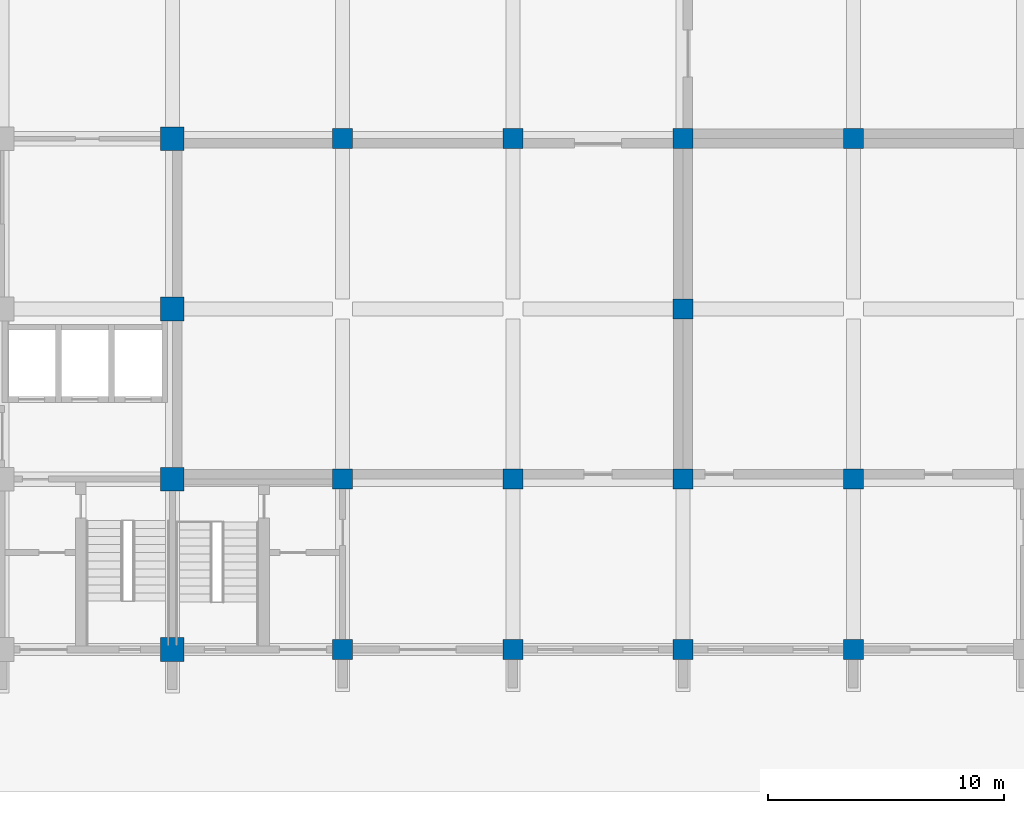
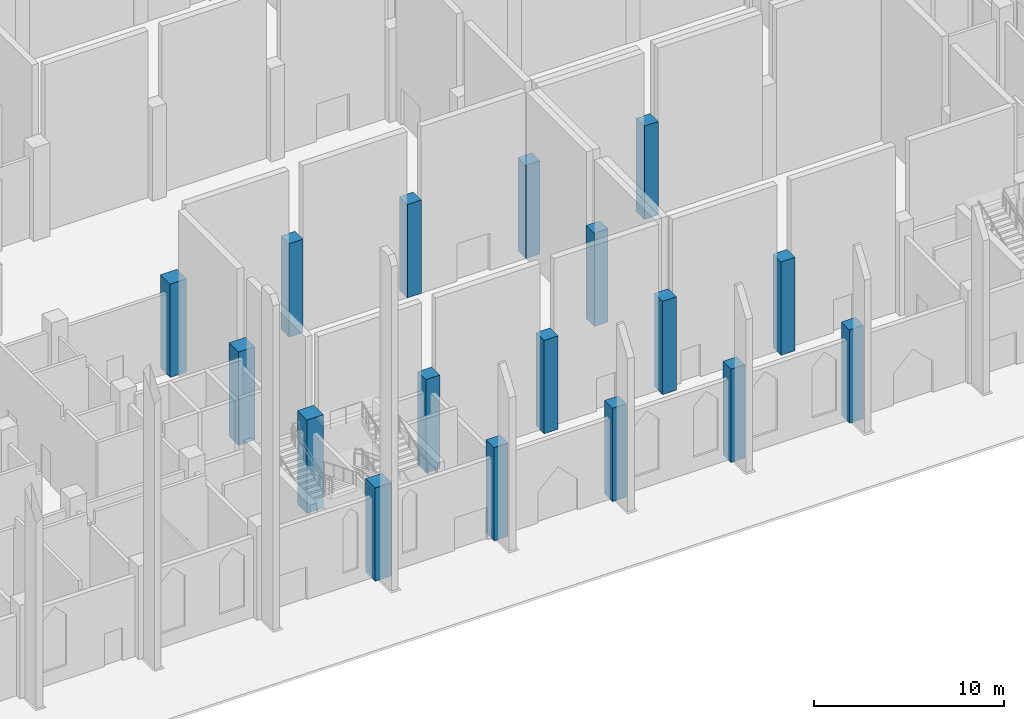
# One storey, part 3 of 50: 17 columns.
"""IFC4 building model written with IfcOpenShell, lengths in metres."""

from ifc_helpers import new_model, si_unit, direction, frame, origin, origin_2d, place, context, subcontext, project, spatial, rectangle, extrude, material, material_profile, profile_set, type_object, element, save


model = new_model("IFC4")

# Units and contexts
model_context = context("Model", 3, precision=1e-05, world=origin(), true_north=direction((0.0, 1.0)))
body_context = subcontext(model_context, "Body", "Model", "MODEL_VIEW")
ifc_project = project(units=[si_unit("LENGTHUNIT", "METRE"), si_unit("AREAUNIT", "SQUARE_METRE"), si_unit("VOLUMEUNIT", "CUBIC_METRE"), si_unit("PLANEANGLEUNIT", "RADIAN"), si_unit("MASSUNIT", "GRAM", prefix="KILO")], contexts=[model_context])

# Site, building, storey
site_placement = place(None, origin())
site = spatial("IfcSite", under=ifc_project, at=site_placement, CompositionType="ELEMENT")
building_placement = place(site_placement, origin())
building = spatial("IfcBuilding", under=site, at=building_placement, Name="Silangan Lancet Faculty of Sciences", CompositionType="ELEMENT")
storey_placement = place(building_placement, origin())
storey = spatial("IfcBuildingStorey", under=building, at=storey_placement, Name="L00", CompositionType="ELEMENT", Elevation=0.0)

# Columns
ifc_material_1 = material(Name="Concrete C50/60", Category="concrete")
ifc_material_profile_1 = material_profile(ifc_material_1, rectangle(XDim=1.0, YDim=1.0, at=origin_2d()), Name="RC 1000x1000")
ifc_profile_set_1 = profile_set([ifc_material_profile_1], Name="Concrete C50/60")
column_type_1 = type_object("IfcColumnType", Name="COLUMN RC 1000x1000", PredefinedType="COLUMN", material=ifc_profile_set_1)
for number, where, z_axis, x_axis, name in (
    (1, (28.800048828125, 0.0, 0.0), (0.0, 0.0, 1.0), (1.0, 0.0, 0.0), "COL-L00-5A"),
    (2, (28.800048828125, 7.199951171875, 0.0), (0.0, 0.0, 1.0), (1.0, 0.0, 0.0), "COL-L00-5B"),
    (3, (28.800048828125, 14.39990234375, 0.0), (0.0, 0.0, 1.0), (1.0, 0.0, 0.0), "COL-L00-5C"),
    (4, (28.800048828125, 21.60009765625, 0.0), (0.0, 0.0, 1.0), (1.0, 0.0, 0.0), "COL-L00-5D"),
):
    element("IfcColumn", number, at=place(storey_placement, frame(where, z_axis=z_axis, x_axis=x_axis)), inside=storey, type_object=column_type_1, Name=name, PredefinedType="COLUMN", context=body_context, shape_type="SweptSolid", body=[
        extrude(rectangle(XDim=1.0, YDim=1.0, at=origin_2d()), origin(), (0.0, 0.0, 1.0), 6.0),
    ])
ifc_material_2 = material(Name="Concrete C40/50", Category="concrete")
ifc_material_profile_2 = material_profile(ifc_material_2, rectangle(XDim=0.85009765625, YDim=0.85009765625, at=origin_2d()), Name="RC 850x850")
ifc_profile_set_2 = profile_set([ifc_material_profile_2], Name="Concrete C40/50")
column_type_2 = type_object("IfcColumnType", Name="COLUMN RC 850x850", PredefinedType="COLUMN", material=ifc_profile_set_2)
for number, where, z_axis, x_axis, name in (
    (5, (36.0, 0.0, 0.0), (0.0, 0.0, 1.0), (1.0, 0.0, 0.0), "COL-L00-6A"),
    (6, (36.0, 7.199951171875, 0.0), (0.0, 0.0, 1.0), (1.0, 0.0, 0.0), "COL-L00-6B"),
    (7, (36.0, 21.60009765625, 0.0), (0.0, 0.0, 1.0), (1.0, 0.0, 0.0), "COL-L00-6D"),
    (8, (43.199951171875, 0.0, 0.0), (0.0, 0.0, 1.0), (1.0, 0.0, 0.0), "COL-L00-7A"),
    (9, (43.199951171875, 7.199951171875, 0.0), (0.0, 0.0, 1.0), (1.0, 0.0, 0.0), "COL-L00-7B"),
    (10, (43.199951171875, 21.60009765625, 0.0), (0.0, 0.0, 1.0), (1.0, 0.0, 0.0), "COL-L00-7D"),
    (11, (50.39990234375, 0.0, 0.0), (0.0, 0.0, 1.0), (1.0, 0.0, 0.0), "COL-L00-8A"),
    (12, (50.39990234375, 7.199951171875, 0.0), (0.0, 0.0, 1.0), (1.0, 0.0, 0.0), "COL-L00-8B"),
    (13, (50.39990234375, 14.39990234375, 0.0), (0.0, 0.0, 1.0), (1.0, 0.0, 0.0), "COL-L00-8C"),
    (14, (50.39990234375, 21.60009765625, 0.0), (0.0, 0.0, 1.0), (1.0, 0.0, 0.0), "COL-L00-8D"),
    (15, (57.60009765625, 0.0, 0.0), (0.0, 0.0, 1.0), (1.0, 0.0, 0.0), "COL-L00-9A"),
    (16, (57.60009765625, 7.199951171875, 0.0), (0.0, 0.0, 1.0), (1.0, 0.0, 0.0), "COL-L00-9B"),
    (17, (57.60009765625, 21.60009765625, 0.0), (0.0, 0.0, 1.0), (1.0, 0.0, 0.0), "COL-L00-9D"),
):
    element("IfcColumn", number, at=place(storey_placement, frame(where, z_axis=z_axis, x_axis=x_axis)), inside=storey, type_object=column_type_2, Name=name, PredefinedType="COLUMN", context=body_context, shape_type="SweptSolid", body=[
        extrude(rectangle(XDim=0.85009765625, YDim=0.85009765625, at=origin_2d()), origin(), (0.0, 0.0, 1.0), 6.0),
    ])

save(model, "model.ifc")
